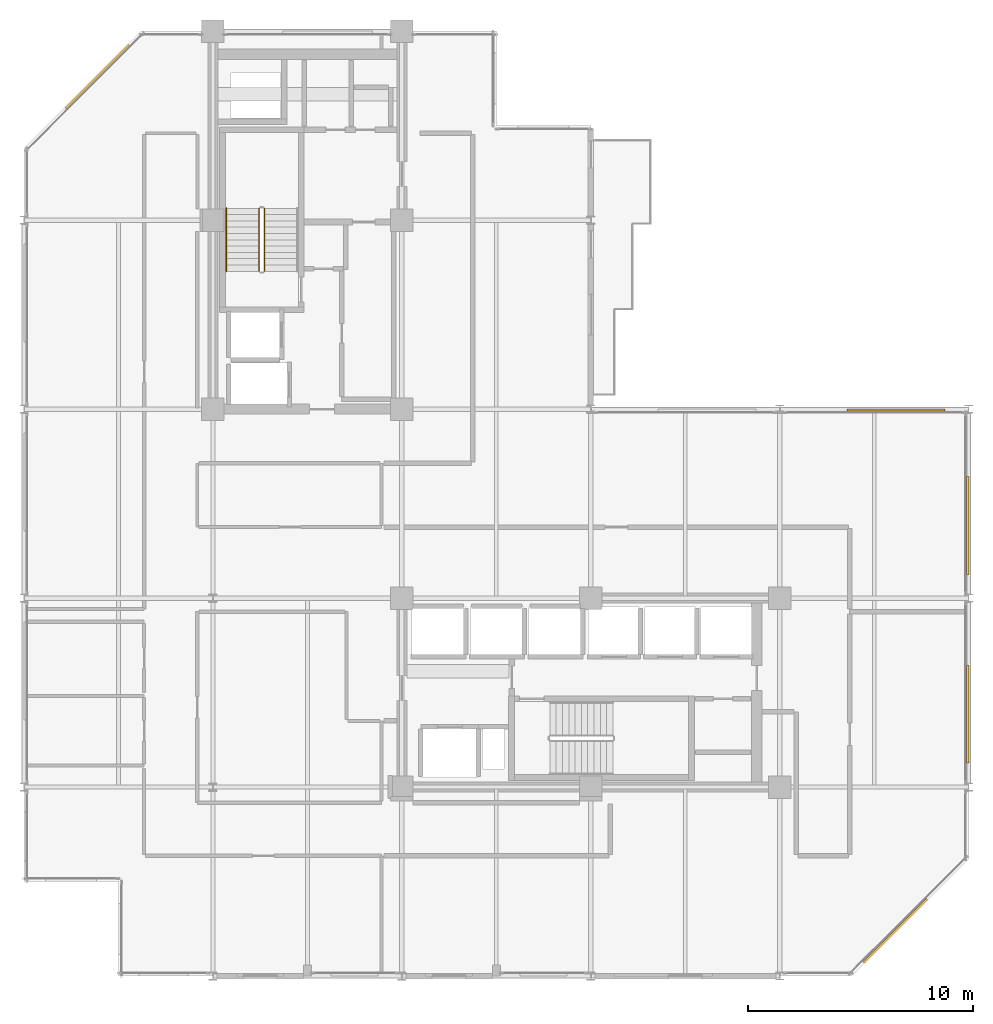
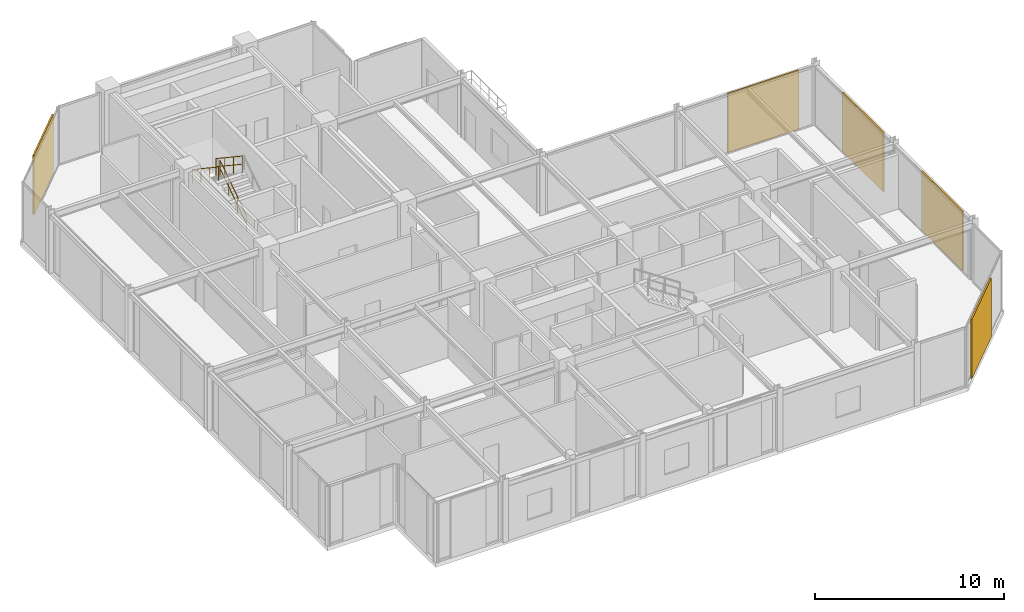
# One storey, part 24 of 25: 5 coverings, 3 railings.
"""IFC4 building model written with IfcOpenShell, lengths in metres."""

from ifc_helpers import new_model, si_unit, direction, frame, origin, origin_2d, place, context, subcontext, project, spatial, rectangle, circle, extrude, material, layer, layer_set, type_object, element, save


model = new_model("IFC4")

# Units and contexts
model_context = context("Model", 3, precision=1e-05, world=origin(), true_north=direction((0.0, 1.0)))
body_context = subcontext(model_context, "Body", "Model", "MODEL_VIEW")
ifc_project = project(units=[si_unit("LENGTHUNIT", "METRE"), si_unit("AREAUNIT", "SQUARE_METRE"), si_unit("VOLUMEUNIT", "CUBIC_METRE"), si_unit("PLANEANGLEUNIT", "RADIAN"), si_unit("MASSUNIT", "GRAM", prefix="KILO")], contexts=[model_context])

# Site, building, storey
site_placement = place(None, origin())
site = spatial("IfcSite", under=ifc_project, at=site_placement, CompositionType="ELEMENT")
building_placement = place(site_placement, origin())
building = spatial("IfcBuilding", under=site, at=building_placement, Name="Nerrivon Quay Data Exchange", CompositionType="ELEMENT")
storey_placement = place(building_placement, frame((0.0, 0.0, 224.699951171875)))
storey = spatial("IfcBuildingStorey", under=building, at=storey_placement, Name="L53", CompositionType="ELEMENT", Elevation=224.699951171875)

# Coverings
ifc_material_1 = material(Name="Architectural terracotta ceramic", Category="masonry")
ifc_layer = layer(ifc_material_1, 0.090087890625)
ifc_layer_set = layer_set([ifc_layer], Name="Architectural terracotta ceramic")
covering_type = type_object("IfcCoveringType", Name="COV-SCR-TERR", PredefinedType="CLADDING", material=ifc_layer_set)
for number, where, z_axis, x_axis, name in (
    (1, (38.744140625, 2.0078125, 0.0), (0.0, 0.0, 1.0), (-0.707106781187, -0.707106781187, 0.0), "L53 Perforated Terracotta SOLAR SCREEN Cassette"),
    (2, (3.255859375, 39.9921875, 0.0), (0.0, 0.0, 1.0), (0.707106781187, 0.707106781187, 0.0), "L53 Perforated Terracotta SOLAR SCREEN Cassette"),
):
    element("IfcCovering", number, at=place(storey_placement, frame(where, z_axis=z_axis, x_axis=x_axis)), inside=storey, type_object=covering_type, Name=name, PredefinedType="CLADDING", context=body_context, shape_type="SweptSolid", body=[
        extrude(rectangle(XDim=3.970947265625, YDim=0.090087890625, at=origin_2d()), origin(), (0.0, 0.0, 1.0), 3.824951171875),
    ])
for number, where, z_axis, x_axis, name in (
    (3, (38.76611328125, 25.155029296875, 0.0), (0.0, 0.0, 1.0), (1.0, 0.0, 0.0), "L53 Perforated Terracotta SOLAR SCREEN Cassette"),
    (4, (41.955078125, 20.033935546875, 0.0), (0.0, 0.0, 1.0), (0.0, -1.0, 0.0), "L53 Perforated Terracotta SOLAR SCREEN Cassette"),
    (5, (41.955078125, 11.634033203125, 0.0), (0.0, 0.0, 1.0), (0.0, -1.0, 0.0), "L53 Perforated Terracotta SOLAR SCREEN Cassette"),
):
    element("IfcCovering", number, at=place(storey_placement, frame(where, z_axis=z_axis, x_axis=x_axis)), inside=storey, type_object=covering_type, Name=name, PredefinedType="CLADDING", context=body_context, shape_type="SweptSolid", body=[
        extrude(rectangle(XDim=4.346923828125, YDim=0.090087890625, at=origin_2d()), origin(), (0.0, 0.0, 1.0), 3.824951171875),
    ])

# Railings
ifc_material_2 = material(Name="Steel Grade C350L0 (350 MPa)", Category="steel")
railing_type_1 = type_object("IfcRailingType", Name="RAIL-HAND-HR1", PredefinedType="HANDRAIL", material=ifc_material_2)
railing_1_placement = place(storey_placement, frame((9.0, 34.1298828125, 2.236328125)))
element("IfcRailing", 6, at=railing_1_placement, inside=storey, type_object=railing_type_1, Name="L53 ST01 stair handrail 2", PredefinedType="HANDRAIL", context=body_context, shape_type="SweptSolid", body=[
    extrude(circle(Radius=0.02392578125, at=origin_2d()), frame((0.0, 0.0, 0.8759765625), z_axis=(0.0, -0.832429786209, 0.554130536094), x_axis=(1.0, 0.0, 0.0)), (0.0, 0.0, 1.0), 3.363525390625),
    extrude(circle(Radius=0.02099609375, at=origin_2d()), origin(), (0.0, 0.0, 1.0), 0.851806640625),
    extrude(circle(Radius=0.02099609375, at=origin_2d()), frame((0.0, -0.933349609375, 0.621337890625)), (0.0, 0.0, 1.0), 0.851806640625),
    extrude(circle(Radius=0.02099609375, at=origin_2d()), frame((0.0, -1.866455078125, 1.242431640625)), (0.0, 0.0, 1.0), 0.851806640625),
    extrude(circle(Radius=0.02099609375, at=origin_2d()), frame((0.0, -2.7998046875, 1.86376953125)), (0.0, 0.0, 1.0), 0.851806640625),
])
railing_type_2 = type_object("IfcRailingType", Name="RAIL-STAIR-GR1", PredefinedType="BALUSTRADE", material=ifc_material_2)
railing_2_placement = place(storey_placement, frame((10.699951171875, 31.330078125, 0.1865234375)))
element("IfcRailing", 7, at=railing_2_placement, inside=storey, type_object=railing_type_2, Name="L53 ST01 stair guard 1", PredefinedType="BALUSTRADE", context=body_context, shape_type="SweptSolid", body=[
    extrude(circle(Radius=0.02392578125, at=origin_2d()), frame((0.0, 0.0, 1.076171875), z_axis=(0.0, 0.832463268671, 0.554080234545), x_axis=(-1.0, 0.0, 0.0)), (0.0, 0.0, 1.0), 3.36328125),
    extrude(circle(Radius=0.02392578125, at=origin_2d()), frame((0.0, 0.0, 0.550048828125), z_axis=(0.0, 0.832463268671, 0.554080234545), x_axis=(-1.0, 0.0, 0.0)), (0.0, 0.0, 1.0), 3.36328125),
    extrude(circle(Radius=0.02099609375, at=origin_2d()), origin(), (0.0, 0.0, 1.0), 1.052001953125),
    extrude(circle(Radius=0.02099609375, at=origin_2d()), frame((0.0, 0.933349609375, 0.62109375)), (0.0, 0.0, 1.0), 1.052001953125),
    extrude(circle(Radius=0.02099609375, at=origin_2d()), frame((0.0, 1.866455078125, 1.242431640625)), (0.0, 0.0, 1.0), 1.052001953125),
    extrude(circle(Radius=0.02099609375, at=origin_2d()), frame((0.0, 2.7998046875, 1.863525390625)), (0.0, 0.0, 1.0), 1.052001953125),
])
railing_3_placement = place(storey_placement, frame((10.449951171875, 34.1298828125, 2.236328125)))
element("IfcRailing", 8, at=railing_3_placement, inside=storey, type_object=railing_type_2, Name="L53 ST01 stair guard 3", PredefinedType="BALUSTRADE", context=body_context, shape_type="SweptSolid", body=[
    extrude(circle(Radius=0.02392578125, at=origin_2d()), frame((0.0, 0.0, 1.076171875), z_axis=(0.0, -0.832429786209, 0.554130536094), x_axis=(1.0, 0.0, 0.0)), (0.0, 0.0, 1.0), 3.363525390625),
    extrude(circle(Radius=0.02392578125, at=origin_2d()), frame((0.0, 0.0, 0.550048828125), z_axis=(0.0, -0.832429786209, 0.554130536094), x_axis=(1.0, 0.0, 0.0)), (0.0, 0.0, 1.0), 3.363525390625),
    extrude(circle(Radius=0.02099609375, at=origin_2d()), origin(), (0.0, 0.0, 1.0), 1.052001953125),
    extrude(circle(Radius=0.02099609375, at=origin_2d()), frame((0.0, -0.933349609375, 0.621337890625)), (0.0, 0.0, 1.0), 1.052001953125),
    extrude(circle(Radius=0.02099609375, at=origin_2d()), frame((0.0, -1.866455078125, 1.242431640625)), (0.0, 0.0, 1.0), 1.052001953125),
    extrude(circle(Radius=0.02099609375, at=origin_2d()), frame((0.0, -2.7998046875, 1.86376953125)), (0.0, 0.0, 1.0), 1.052001953125),
])

save(model, "model.ifc")
